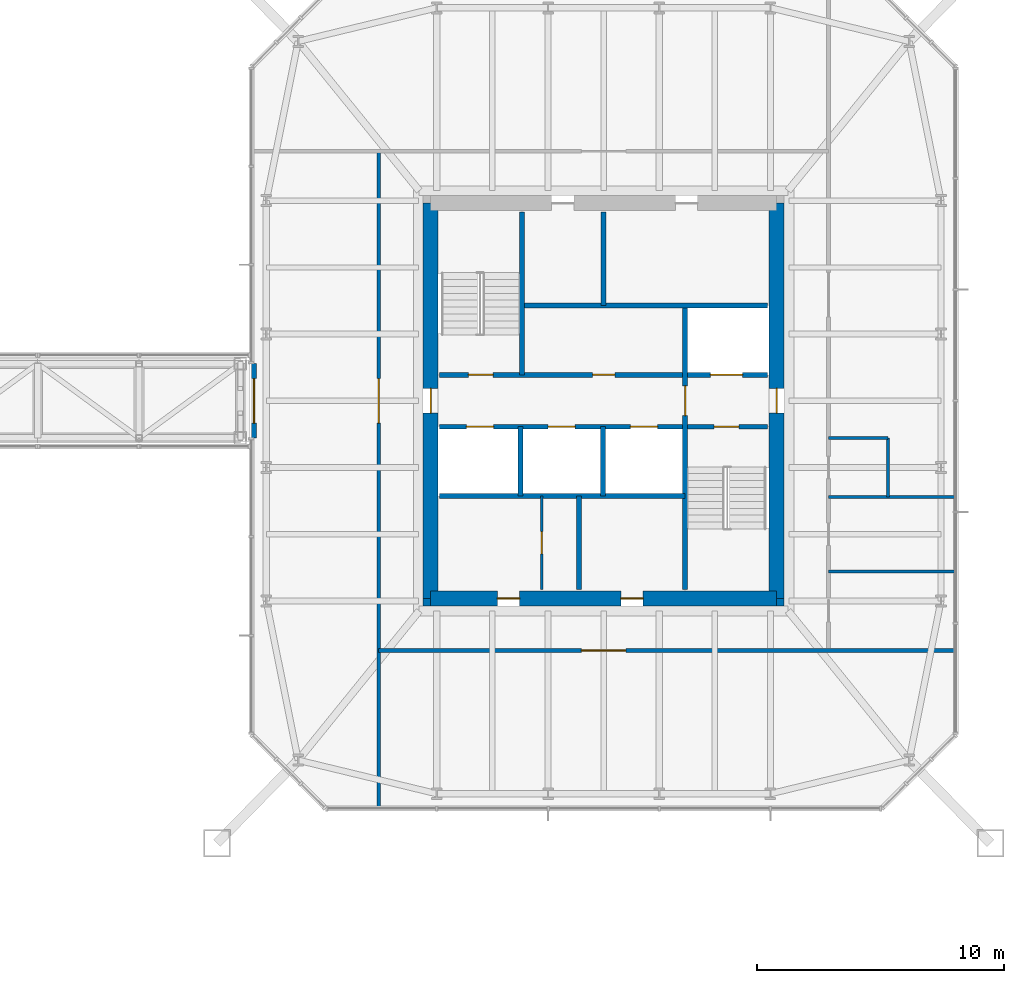
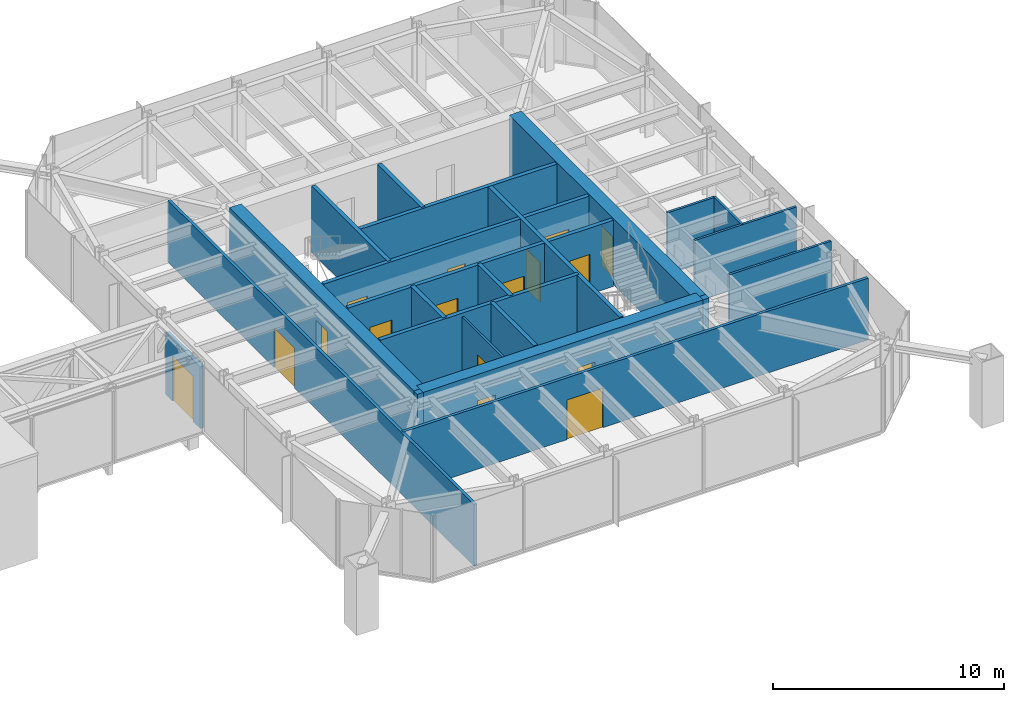
# One storey, part 21 of 28: 23 walls, 16 doors, 16 openings.
"""IFC4 building model written with IfcOpenShell, lengths in metres."""

from ifc_helpers import new_model, si_unit, direction, frame, frame_2d, origin, place, context, subcontext, project, spatial, rectangle, extrude, material, layer, layer_set, type_object, element, fill, save


model = new_model("IFC4")

# Units and contexts
model_context = context("Model", 3, precision=1e-05, world=origin(), true_north=direction((0.0, 1.0)))
body_context = subcontext(model_context, "Body", "Model", "MODEL_VIEW")
ifc_project = project(units=[si_unit("LENGTHUNIT", "METRE"), si_unit("AREAUNIT", "SQUARE_METRE"), si_unit("VOLUMEUNIT", "CUBIC_METRE"), si_unit("PLANEANGLEUNIT", "RADIAN"), si_unit("MASSUNIT", "GRAM", prefix="KILO")], contexts=[model_context])

# Site, building, storey
site_placement = place(None, origin())
site = spatial("IfcSite", under=ifc_project, at=site_placement, CompositionType="ELEMENT")
building_placement = place(site_placement, origin())
building = spatial("IfcBuilding", under=site, at=building_placement, Name="Iwan Alto Co-Living Towers", CompositionType="ELEMENT")
storey_placement = place(building_placement, frame((0.0, 0.0, 98.0)))
storey = spatial("IfcBuildingStorey", under=building, at=storey_placement, Name="L26", CompositionType="ELEMENT", Elevation=98.0)

# Wall, opening, door
ifc_material_1 = material(Name="Aluminium 6063-T6 bronze anodised", Category="aluminium")
ifc_layer_1 = layer(ifc_material_1, 0.030029296875, Name="Cladding", Category="Finish")
ifc_material_2 = material(Name="Steel ASTM A1003 ST33H cold-formed studs", Category="steel")
ifc_layer_2 = layer(ifc_material_2, 0.169921875, Name="Studs", Category="Framing")
ifc_layer_set_1 = layer_set([ifc_layer_1, ifc_layer_2], Name="BRIDGE END WALL 200")
wall_type_1 = type_object("IfcWallType", Name="BRIDGE END WALL 200", PredefinedType="SOLIDWALL", material=ifc_layer_set_1)
wall_1_placement = place(storey_placement, frame((48.85009765625, 1.5, 0.0), z_axis=(0.0, 0.0, 1.0), x_axis=(0.0, -1.0, 0.0)))
wall_1 = element("IfcWall", 1, at=wall_1_placement, inside=storey, type_object=wall_type_1, Name="T2 bridge end wall L26", PredefinedType="SOLIDWALL", context=body_context, shape_type="SweptSolid", body=[
    extrude(rectangle(XDim=3.0, YDim=0.199951171875, at=frame_2d((1.5, 0.0))), origin(), (0.0, 0.0, 1.0), 3.27001953125),
])
opening_1_placement = place(wall_1_placement, frame((0.60009765625, 0.0, 0.0)))
opening_1 = element("IfcOpeningElement", 2, at=opening_1_placement, cuts=wall_1, Name="Opening DE5", PredefinedType="OPENING", context=body_context, shape_type="SweptSolid", body=[
    extrude(rectangle(XDim=1.800048828125, YDim=2.39990234375, at=frame_2d((0.89990234375, 1.199951171875))), frame((0.0, 0.10986328125, 0.0), z_axis=(0.0, -1.0, 0.0), x_axis=(1.0, 0.0, 0.0)), (0.0, 0.0, 1.0), 0.219970703125),
])
ifc_material_3 = material(Name="Steel frame with glazed fire-rated leaves", Category="steel")
door_type_1 = type_object("IfcDoorType", Name="BRIDGE DOOR FD120S 1800X2400", OperationType="DOUBLE_DOOR_SINGLE_SWING", PredefinedType="DOOR", material=ifc_material_3)
door_1_placement = place(opening_1_placement, frame((1.800048828125, 0.0, 0.0), z_axis=(0.0, 0.0, 1.0), x_axis=(-1.0, 0.0, 0.0)))
door_1 = element("IfcDoor", 3, at=door_1_placement, inside=storey, type_object=door_type_1, Name="Bridge BR1 door L26", OperationType="DOUBLE_DOOR_SINGLE_SWING", OverallHeight=2.39990234375, OverallWidth=1.800048828125, PredefinedType="DOOR", context=body_context, shape_type="SweptSolid", body=[
    extrude(rectangle(XDim=1.800048828125, YDim=2.39990234375, at=frame_2d((0.89990234375, 1.199951171875))), frame((0.0, 0.02490234375, 0.0), z_axis=(0.0, -1.0, 0.0), x_axis=(1.0, 0.0, 0.0)), (0.0, 0.0, 1.0), 0.050048828125),
])
fill(opening_1, door_1)

ifc_material_4 = material(Name="Gypsum board")
ifc_layer_3 = layer(ifc_material_4, 0.02490234375, Name="Board", Category="Finish")
ifc_layer_4 = layer(ifc_material_2, 0.10009765625, Name="Studs", Category="Framing")
ifc_layer_5 = layer(ifc_material_4, 0.02490234375, Name="Board", Category="Finish")
ifc_layer_set_2 = layer_set([ifc_layer_3, ifc_layer_4, ifc_layer_5], Name="CORRIDOR WALL 150")
wall_type_2 = type_object("IfcWallType", Name="CORRIDOR WALL 150", PredefinedType="PARTITIONING", material=ifc_layer_set_2)
wall_2_placement = place(storey_placement, frame((53.89990234375, -10.10009765625, 0.0), z_axis=(0.0, 0.0, 1.0), x_axis=(1.0, 0.0, 0.0)))
wall_2 = element("IfcWall", 4, at=wall_2_placement, inside=storey, type_object=wall_type_2, Name="Partition L26", PredefinedType="PARTITIONING", context=body_context, shape_type="SweptSolid", body=[
    extrude(rectangle(XDim=23.2900390625, YDim=0.14990234375, at=frame_2d((11.64501953125, 0.0))), origin(), (0.0, 0.0, 1.0), 3.27001953125),
])
opening_2_placement = place(wall_2_placement, frame((8.199951171875, 0.0, 0.0)))
opening_2 = element("IfcOpeningElement", 5, at=opening_2_placement, cuts=wall_2, Name="Opening D9", PredefinedType="OPENING", context=body_context, shape_type="SweptSolid", body=[
    extrude(rectangle(XDim=1.800048828125, YDim=2.10009765625, at=frame_2d((0.89990234375, 1.050048828125))), frame((0.0, 0.0849609375, 0.0), z_axis=(0.0, -1.0, 0.0), x_axis=(1.0, 0.0, 0.0)), (0.0, 0.0, 1.0), 0.169921875),
])
ifc_material_5 = material(Name="Steel frame with timber leaf", Category="steel")
door_type_2 = type_object("IfcDoorType", Name="LOUNGE DOOR FD30S 1800X2100", OperationType="DOUBLE_DOOR_SINGLE_SWING", PredefinedType="DOOR", material=ifc_material_5)
door_2_placement = place(opening_2_placement, frame((1.800048828125, 0.0, 0.0), z_axis=(0.0, 0.0, 1.0), x_axis=(-1.0, 0.0, 0.0)))
door_2 = element("IfcDoor", 6, at=door_2_placement, inside=storey, type_object=door_type_2, Name="Fitness room door L26", OperationType="DOUBLE_DOOR_SINGLE_SWING", OverallHeight=2.10009765625, OverallWidth=1.800048828125, PredefinedType="DOOR", context=body_context, shape_type="SweptSolid", body=[
    extrude(rectangle(XDim=1.800048828125, YDim=2.10009765625, at=frame_2d((0.89990234375, 1.050048828125))), frame((0.0, 0.02490234375, 0.0), z_axis=(0.0, -1.0, 0.0), x_axis=(1.0, 0.0, 0.0)), (0.0, 0.0, 1.0), 0.050048828125),
])
fill(opening_2, door_2)

wall_3_placement = place(storey_placement, frame((53.89990234375, -16.43994140625, 0.0), z_axis=(0.0, 0.0, 1.0), x_axis=(0.0, 1.0, 0.0)))
wall_3 = element("IfcWall", 7, at=wall_3_placement, inside=storey, type_object=wall_type_2, Name="Partition L26", PredefinedType="PARTITIONING", context=body_context, shape_type="SweptSolid", body=[
    extrude(rectangle(XDim=26.5400390625, YDim=0.14990234375, at=frame_2d((13.27001953125, 0.0))), origin(), (0.0, 0.0, 1.0), 3.27001953125),
])
opening_3_placement = place(wall_3_placement, frame((15.5400390625, 0.0, 0.0)))
opening_3 = element("IfcOpeningElement", 8, at=opening_3_placement, cuts=wall_3, Name="Opening D9", PredefinedType="OPENING", context=body_context, shape_type="SweptSolid", body=[
    extrude(rectangle(XDim=1.800048828125, YDim=2.10009765625, at=frame_2d((0.89990234375, 1.050048828125))), frame((0.0, 0.0849609375, 0.0), z_axis=(0.0, -1.0, 0.0), x_axis=(1.0, 0.0, 0.0)), (0.0, 0.0, 1.0), 0.169921875),
])
door_3_placement = place(opening_3_placement, frame((1.800048828125, 0.0, 0.0), z_axis=(0.0, 0.0, 1.0), x_axis=(-1.0, 0.0, 0.0)))
door_3 = element("IfcDoor", 9, at=door_3_placement, inside=storey, type_object=door_type_2, Name="Sky lobby and bridge landing door L26", OperationType="DOUBLE_DOOR_SINGLE_SWING", OverallHeight=2.10009765625, OverallWidth=1.800048828125, PredefinedType="DOOR", context=body_context, shape_type="SweptSolid", body=[
    extrude(rectangle(XDim=1.800048828125, YDim=2.10009765625, at=frame_2d((0.89990234375, 1.050048828125))), frame((0.0, 0.02490234375, 0.0), z_axis=(0.0, -1.0, 0.0), x_axis=(1.0, 0.0, 0.0)), (0.0, 0.0, 1.0), 0.050048828125),
])
fill(opening_3, door_3)

ifc_layer_6 = layer(ifc_material_4, 0.012451171875, Name="Board", Category="Finish")
ifc_layer_7 = layer(ifc_material_2, 0.074951171875, Name="Studs", Category="Framing")
ifc_layer_8 = layer(ifc_material_4, 0.012451171875, Name="Board", Category="Finish")
ifc_layer_set_3 = layer_set([ifc_layer_6, ifc_layer_7, ifc_layer_8], Name="PARTITION 100")
wall_type_3 = type_object("IfcWallType", Name="PARTITION 100", PredefinedType="PARTITIONING", material=ifc_layer_set_3)
wall_4_placement = place(storey_placement, frame((60.5, -7.639892578125, 0.0), z_axis=(0.0, 0.0, 1.0), x_axis=(0.0, 1.0, 0.0)))
wall_4 = element("IfcWall", 10, at=wall_4_placement, inside=storey, type_object=wall_type_3, Name="Partition L26", PredefinedType="PARTITIONING", context=body_context, shape_type="SweptSolid", body=[
    extrude(rectangle(XDim=3.789794921875, YDim=0.10009765625, at=frame_2d((1.89501953125, 0.0))), origin(), (0.0, 0.0, 1.0), 3.300048828125),
])
opening_4_placement = place(wall_4_placement, frame((1.445068359375, 0.0, 0.0)))
opening_4 = element("IfcOpeningElement", 11, at=opening_4_placement, cuts=wall_4, Name="Opening D16", PredefinedType="OPENING", context=body_context, shape_type="SweptSolid", body=[
    extrude(rectangle(XDim=0.89990234375, YDim=2.10009765625, at=frame_2d((0.449951171875, 1.050048828125))), frame((0.0, 0.06005859375, 0.0), z_axis=(0.0, -1.0, 0.0), x_axis=(1.0, 0.0, 0.0)), (0.0, 0.0, 1.0), 0.1201171875),
])
ifc_material_6 = material(Name="Timber leaf in steel frame", Category="steel")
door_type_3 = type_object("IfcDoorType", Name="CUPBOARD SLIDING DOOR 900X2100", OperationType="SLIDING_TO_LEFT", PredefinedType="DOOR", material=ifc_material_6)
door_4_placement = place(opening_4_placement, origin())
door_4 = element("IfcDoor", 12, at=door_4_placement, inside=storey, type_object=door_type_3, Name="Recycling store door L26", OperationType="SLIDING_TO_LEFT", OverallHeight=2.10009765625, OverallWidth=0.89990234375, PredefinedType="DOOR", context=body_context, shape_type="SweptSolid", body=[
    extrude(rectangle(XDim=0.89990234375, YDim=2.10009765625, at=frame_2d((0.449951171875, 1.050048828125))), frame((0.0, 0.02490234375, 0.0), z_axis=(0.0, -1.0, 0.0), x_axis=(1.0, 0.0, 0.0)), (0.0, 0.0, 1.0), 0.050048828125),
])
fill(opening_4, door_4)

# Wall
ifc_material_7 = material(Name="Concrete f'c 70 MPa", Category="concrete")
ifc_layer_9 = layer(ifc_material_7, 0.199951171875)
ifc_layer_set_4 = layer_set([ifc_layer_9], Name="SHAFT WALL 200")
wall_type_4 = type_object("IfcWallType", Name="SHAFT WALL 200", PredefinedType="SOLIDWALL", material=ifc_layer_set_4)
wall_5_placement = place(storey_placement, frame((56.360107421875, -3.85009765625, 0.0), z_axis=(0.0, 0.0, 1.0), x_axis=(1.0, 0.0, 0.0)))
element("IfcWall", 13, at=wall_5_placement, inside=storey, type_object=wall_type_4, Name="Shaft wall L26", PredefinedType="SOLIDWALL", context=body_context, shape_type="SweptSolid", body=[
    extrude(rectangle(XDim=9.93994140625, YDim=0.199951171875, at=frame_2d((4.969970703125, 0.0))), origin(), (0.0, 0.0, 1.0), 3.5),
])

# Wall, openings, doors
wall_6_placement = place(storey_placement, frame((56.360107421875, -1.050048828125, 0.0), z_axis=(0.0, 0.0, 1.0), x_axis=(1.0, 0.0, 0.0)))
wall_6 = element("IfcWall", 14, at=wall_6_placement, inside=storey, type_object=wall_type_4, Name="Shaft wall L26", PredefinedType="SOLIDWALL", context=body_context, shape_type="SweptSolid", body=[
    extrude(rectangle(XDim=13.27978515625, YDim=0.199951171875, at=frame_2d((6.639892578125, 0.0))), origin(), (0.0, 0.0, 1.0), 3.5),
])
opening_5_placement = place(wall_6_placement, frame((11.110107421875, 0.0, 0.0)))
opening_5 = element("IfcOpeningElement", 15, at=opening_5_placement, cuts=wall_6, Name="Opening D5", PredefinedType="OPENING", context=body_context, shape_type="SweptSolid", body=[
    extrude(rectangle(XDim=1.0, YDim=2.10009765625, at=frame_2d((0.5, 1.050048828125))), frame((0.0, 0.10986328125, 0.0), z_axis=(0.0, -1.0, 0.0), x_axis=(1.0, 0.0, 0.0)), (0.0, 0.0, 1.0), 0.219970703125),
])
opening_6_placement = place(wall_6_placement, frame((1.0869140625, 0.0, 0.0)))
opening_6 = element("IfcOpeningElement", 16, at=opening_6_placement, cuts=wall_6, Name="Opening LD", PredefinedType="OPENING", context=body_context, shape_type="SweptSolid", body=[
    extrude(rectangle(XDim=1.10009765625, YDim=2.10009765625, at=frame_2d((0.550048828125, 1.050048828125))), frame((0.0, 0.10986328125, 0.0), z_axis=(0.0, -1.0, 0.0), x_axis=(1.0, 0.0, 0.0)), (0.0, 0.0, 1.0), 0.219970703125),
])
opening_7_placement = place(wall_6_placement, frame((4.389892578125, 0.0, 0.0)))
opening_7 = element("IfcOpeningElement", 17, at=opening_7_placement, cuts=wall_6, Name="Opening LD", PredefinedType="OPENING", context=body_context, shape_type="SweptSolid", body=[
    extrude(rectangle(XDim=1.10009765625, YDim=2.10009765625, at=frame_2d((0.550048828125, 1.050048828125))), frame((0.0, 0.10986328125, 0.0), z_axis=(0.0, -1.0, 0.0), x_axis=(1.0, 0.0, 0.0)), (0.0, 0.0, 1.0), 0.219970703125),
])
opening_8_placement = place(wall_6_placement, frame((7.72412109375, 0.0, 0.0)))
opening_8 = element("IfcOpeningElement", 18, at=opening_8_placement, cuts=wall_6, Name="Opening LD", PredefinedType="OPENING", context=body_context, shape_type="SweptSolid", body=[
    extrude(rectangle(XDim=1.10009765625, YDim=2.10009765625, at=frame_2d((0.550048828125, 1.050048828125))), frame((0.0, 0.10986328125, 0.0), z_axis=(0.0, -1.0, 0.0), x_axis=(1.0, 0.0, 0.0)), (0.0, 0.0, 1.0), 0.219970703125),
])
ifc_material_8 = material(Name="Steel frame with timber leaf", Category="steel")
door_type_4 = type_object("IfcDoorType", Name="LIFT LANDING DOOR 1100X2100", OperationType="DOUBLE_DOOR_SLIDING", PredefinedType="DOOR", material=ifc_material_8)
door_5_placement = place(opening_6_placement, origin())
door_5 = element("IfcDoor", 19, at=door_5_placement, inside=storey, type_object=door_type_4, Name="Lift P5-1 landing door L26", OperationType="DOUBLE_DOOR_SLIDING", OverallHeight=2.10009765625, OverallWidth=1.10009765625, PredefinedType="DOOR", context=body_context, shape_type="SweptSolid", body=[
    extrude(rectangle(XDim=1.10009765625, YDim=2.10009765625, at=frame_2d((0.550048828125, 1.050048828125))), frame((0.0, 0.02490234375, 0.0), z_axis=(0.0, -1.0, 0.0), x_axis=(1.0, 0.0, 0.0)), (0.0, 0.0, 1.0), 0.050048828125),
])
fill(opening_6, door_5)
door_6_placement = place(opening_7_placement, origin())
door_6 = element("IfcDoor", 20, at=door_6_placement, inside=storey, type_object=door_type_4, Name="Lift P5-2 landing door L26", OperationType="DOUBLE_DOOR_SLIDING", OverallHeight=2.10009765625, OverallWidth=1.10009765625, PredefinedType="DOOR", context=body_context, shape_type="SweptSolid", body=[
    extrude(rectangle(XDim=1.10009765625, YDim=2.10009765625, at=frame_2d((0.550048828125, 1.050048828125))), frame((0.0, 0.02490234375, 0.0), z_axis=(0.0, -1.0, 0.0), x_axis=(1.0, 0.0, 0.0)), (0.0, 0.0, 1.0), 0.050048828125),
])
fill(opening_7, door_6)
door_7_placement = place(opening_8_placement, origin())
door_7 = element("IfcDoor", 21, at=door_7_placement, inside=storey, type_object=door_type_4, Name="Lift P6-3 landing door L26", OperationType="DOUBLE_DOOR_SLIDING", OverallHeight=2.10009765625, OverallWidth=1.10009765625, PredefinedType="DOOR", context=body_context, shape_type="SweptSolid", body=[
    extrude(rectangle(XDim=1.10009765625, YDim=2.10009765625, at=frame_2d((0.550048828125, 1.050048828125))), frame((0.0, 0.02490234375, 0.0), z_axis=(0.0, -1.0, 0.0), x_axis=(1.0, 0.0, 0.0)), (0.0, 0.0, 1.0), 0.050048828125),
])
fill(opening_8, door_7)
ifc_material_9 = material(Name="Steel frame with timber leaf", Category="steel")
door_type_5 = type_object("IfcDoorType", Name="STAIR DOOR FD120S 1000X2100", OperationType="SINGLE_SWING_LEFT", PredefinedType="DOOR", material=ifc_material_9)
door_8_placement = place(opening_5_placement, frame((1.0, 0.0, 0.0), z_axis=(0.0, 0.0, 1.0), x_axis=(-1.0, 0.0, 0.0)))
door_8 = element("IfcDoor", 22, at=door_8_placement, inside=storey, type_object=door_type_5, Name="Stair S2 door L26", OperationType="SINGLE_SWING_RIGHT", OverallHeight=2.10009765625, OverallWidth=1.0, PredefinedType="DOOR", context=body_context, shape_type="SweptSolid", body=[
    extrude(rectangle(XDim=1.0, YDim=2.10009765625, at=frame_2d((0.5, 1.050048828125))), frame((0.0, 0.02490234375, 0.0), z_axis=(0.0, -1.0, 0.0), x_axis=(1.0, 0.0, 0.0)), (0.0, 0.0, 1.0), 0.050048828125),
])
fill(opening_5, door_8)

wall_7_placement = place(storey_placement, frame((56.360107421875, 1.050048828125, 0.0), z_axis=(0.0, 0.0, 1.0), x_axis=(1.0, 0.0, 0.0)))
wall_7 = element("IfcWall", 23, at=wall_7_placement, inside=storey, type_object=wall_type_4, Name="Shaft wall L26", PredefinedType="SOLIDWALL", context=body_context, shape_type="SweptSolid", body=[
    extrude(rectangle(XDim=13.27978515625, YDim=0.199951171875, at=frame_2d((6.639892578125, 0.0))), origin(), (0.0, 0.0, 1.0), 3.5),
])
opening_9_placement = place(wall_7_placement, frame((1.169921875, 0.0, 0.0)))
opening_9 = element("IfcOpeningElement", 24, at=opening_9_placement, cuts=wall_7, Name="Opening D5", PredefinedType="OPENING", context=body_context, shape_type="SweptSolid", body=[
    extrude(rectangle(XDim=1.0, YDim=2.10009765625, at=frame_2d((0.5, 1.050048828125))), frame((0.0, 0.10986328125, 0.0), z_axis=(0.0, -1.0, 0.0), x_axis=(1.0, 0.0, 0.0)), (0.0, 0.0, 1.0), 0.219970703125),
])
opening_10_placement = place(wall_7_placement, frame((6.18994140625, 0.0, 0.0)))
opening_10 = element("IfcOpeningElement", 25, at=opening_10_placement, cuts=wall_7, Name="Opening D8", PredefinedType="OPENING", context=body_context, shape_type="SweptSolid", body=[
    extrude(rectangle(XDim=0.89990234375, YDim=2.10009765625, at=frame_2d((0.449951171875, 1.050048828125))), frame((0.0, 0.10986328125, 0.0), z_axis=(0.0, -1.0, 0.0), x_axis=(1.0, 0.0, 0.0)), (0.0, 0.0, 1.0), 0.219970703125),
])
opening_11_placement = place(wall_7_placement, frame((10.9599609375, 0.0, 0.0)))
opening_11 = element("IfcOpeningElement", 26, at=opening_11_placement, cuts=wall_7, Name="Opening LD2", PredefinedType="OPENING", context=body_context, shape_type="SweptSolid", body=[
    extrude(rectangle(XDim=1.300048828125, YDim=2.10009765625, at=frame_2d((0.64990234375, 1.050048828125))), frame((0.0, 0.10986328125, 0.0), z_axis=(0.0, -1.0, 0.0), x_axis=(1.0, 0.0, 0.0)), (0.0, 0.0, 1.0), 0.219970703125),
])
ifc_material_10 = material(Name="Steel frame with timber leaf", Category="steel")
door_type_6 = type_object("IfcDoorType", Name="LIFT LANDING DOOR 1300X2100", OperationType="SLIDING_TO_LEFT", PredefinedType="DOOR", material=ifc_material_10)
door_9_placement = place(opening_11_placement, origin())
door_9 = element("IfcDoor", 27, at=door_9_placement, inside=storey, type_object=door_type_6, Name="Lift FL2 landing door L26", OperationType="SLIDING_TO_LEFT", OverallHeight=2.10009765625, OverallWidth=1.300048828125, PredefinedType="DOOR", context=body_context, shape_type="SweptSolid", body=[
    extrude(rectangle(XDim=1.300048828125, YDim=2.10009765625, at=frame_2d((0.64990234375, 1.050048828125))), frame((0.0, 0.02490234375, 0.0), z_axis=(0.0, -1.0, 0.0), x_axis=(1.0, 0.0, 0.0)), (0.0, 0.0, 1.0), 0.050048828125),
])
fill(opening_11, door_9)
ifc_material_11 = material(Name="Steel frame with timber leaf", Category="steel")
door_type_7 = type_object("IfcDoorType", Name="RISER DOOR FD120 900X2100", OperationType="SINGLE_SWING_LEFT", PredefinedType="DOOR", material=ifc_material_11)
door_10_placement = place(opening_10_placement, origin())
door_10 = element("IfcDoor", 28, at=door_10_placement, inside=storey, type_object=door_type_7, Name="Riser room door L26", OperationType="SINGLE_SWING_LEFT", OverallHeight=2.10009765625, OverallWidth=0.89990234375, PredefinedType="DOOR", context=body_context, shape_type="SweptSolid", body=[
    extrude(rectangle(XDim=0.89990234375, YDim=2.10009765625, at=frame_2d((0.449951171875, 1.050048828125))), frame((0.0, 0.02490234375, 0.0), z_axis=(0.0, -1.0, 0.0), x_axis=(1.0, 0.0, 0.0)), (0.0, 0.0, 1.0), 0.050048828125),
])
fill(opening_10, door_10)
door_11_placement = place(opening_9_placement, origin())
door_11 = element("IfcDoor", 29, at=door_11_placement, inside=storey, type_object=door_type_5, Name="Stair S1 door L26", OperationType="SINGLE_SWING_RIGHT", OverallHeight=2.10009765625, OverallWidth=1.0, PredefinedType="DOOR", context=body_context, shape_type="SweptSolid", body=[
    extrude(rectangle(XDim=1.0, YDim=2.10009765625, at=frame_2d((0.5, 1.050048828125))), frame((0.0, 0.02490234375, 0.0), z_axis=(0.0, -1.0, 0.0), x_axis=(1.0, 0.0, 0.0)), (0.0, 0.0, 1.0), 0.050048828125),
])
fill(opening_9, door_11)

# Wall
wall_8_placement = place(storey_placement, frame((59.699951171875, 3.85009765625, 0.0), z_axis=(0.0, 0.0, 1.0), x_axis=(1.0, 0.0, 0.0)))
element("IfcWall", 30, at=wall_8_placement, inside=storey, type_object=wall_type_4, Name="Shaft wall L26", PredefinedType="SOLIDWALL", context=body_context, shape_type="SweptSolid", body=[
    extrude(rectangle(XDim=9.93994140625, YDim=0.199951171875, at=frame_2d((4.969970703125, 0.0))), origin(), (0.0, 0.0, 1.0), 3.5),
])

# Wall, opening, door
wall_9_placement = place(storey_placement, frame((66.300048828125, -7.639892578125, 0.0), z_axis=(0.0, 0.0, 1.0), x_axis=(0.0, 1.0, 0.0)))
wall_9 = element("IfcWall", 31, at=wall_9_placement, inside=storey, type_object=wall_type_4, Name="Shaft wall L26", PredefinedType="SOLIDWALL", context=body_context, shape_type="SweptSolid", body=[
    extrude(rectangle(XDim=11.489990234375, YDim=0.199951171875, at=frame_2d((5.7451171875, 0.0))), origin(), (0.0, 0.0, 1.0), 3.5),
])
opening_12_placement = place(wall_9_placement, frame((7.0400390625, 0.0, 0.0)))
opening_12 = element("IfcOpeningElement", 32, at=opening_12_placement, cuts=wall_9, Name="Opening D6", PredefinedType="OPENING", context=body_context, shape_type="SweptSolid", body=[
    extrude(rectangle(XDim=1.199951171875, YDim=2.10009765625, at=frame_2d((0.60009765625, 1.050048828125))), frame((0.0, 0.10986328125, 0.0), z_axis=(0.0, -1.0, 0.0), x_axis=(1.0, 0.0, 0.0)), (0.0, 0.0, 1.0), 0.219970703125),
])
ifc_material_12 = material(Name="Steel frame with timber leaf", Category="steel")
door_type_8 = type_object("IfcDoorType", Name="LOBBY DOOR FD120S 1200X2100", OperationType="SINGLE_SWING_LEFT", PredefinedType="DOOR", material=ifc_material_12)
door_12_placement = place(opening_12_placement, frame((1.199951171875, 0.0, 0.0), z_axis=(0.0, 0.0, 1.0), x_axis=(-1.0, 0.0, 0.0)))
door_12 = element("IfcDoor", 33, at=door_12_placement, inside=storey, type_object=door_type_8, Name="Firefighting lobby door L26", OperationType="SINGLE_SWING_RIGHT", OverallHeight=2.10009765625, OverallWidth=1.199951171875, PredefinedType="DOOR", context=body_context, shape_type="SweptSolid", body=[
    extrude(rectangle(XDim=1.199951171875, YDim=2.10009765625, at=frame_2d((0.60009765625, 1.050048828125))), frame((0.0, 0.02490234375, 0.0), z_axis=(0.0, -1.0, 0.0), x_axis=(1.0, 0.0, 0.0)), (0.0, 0.0, 1.0), 0.050048828125),
])
fill(opening_12, door_12)

# Walls
wall_10_placement = place(storey_placement, frame((63.0, 3.85009765625, 0.0), z_axis=(0.0, 0.0, 1.0), x_axis=(0.0, 1.0, 0.0)))
element("IfcWall", 34, at=wall_10_placement, inside=storey, type_object=wall_type_4, Name="Shaft wall L26", PredefinedType="SOLIDWALL", context=body_context, shape_type="SweptSolid", body=[
    extrude(rectangle(XDim=3.789794921875, YDim=0.199951171875, at=frame_2d((1.89501953125, 0.0))), origin(), (0.0, 0.0, 1.0), 3.5),
])
wall_11_placement = place(storey_placement, frame((62.967041015625, -3.85009765625, 0.0), z_axis=(0.0, 0.0, 1.0), x_axis=(0.0, 1.0, 0.0)))
element("IfcWall", 35, at=wall_11_placement, inside=storey, type_object=wall_type_4, Name="Shaft wall L26", PredefinedType="SOLIDWALL", context=body_context, shape_type="SweptSolid", body=[
    extrude(rectangle(XDim=2.800048828125, YDim=0.199951171875, at=frame_2d((1.39990234375, 0.0))), origin(), (0.0, 0.0, 1.0), 3.5),
])
wall_12_placement = place(storey_placement, frame((62.0, -7.639892578125, 0.0), z_axis=(0.0, 0.0, 1.0), x_axis=(0.0, 1.0, 0.0)))
element("IfcWall", 36, at=wall_12_placement, inside=storey, type_object=wall_type_4, Name="Shaft wall L26", PredefinedType="SOLIDWALL", context=body_context, shape_type="SweptSolid", body=[
    extrude(rectangle(XDim=3.789794921875, YDim=0.199951171875, at=frame_2d((1.89501953125, 0.0))), origin(), (0.0, 0.0, 1.0), 3.5),
])
wall_13_placement = place(storey_placement, frame((59.699951171875, 1.050048828125, 0.0), z_axis=(0.0, 0.0, 1.0), x_axis=(0.0, 1.0, 0.0)))
element("IfcWall", 37, at=wall_13_placement, inside=storey, type_object=wall_type_4, Name="Shaft wall L26", PredefinedType="SOLIDWALL", context=body_context, shape_type="SweptSolid", body=[
    extrude(rectangle(XDim=6.58984375, YDim=0.199951171875, at=frame_2d((3.294921875, 0.0))), origin(), (0.0, 0.0, 1.0), 3.5),
])
wall_14_placement = place(storey_placement, frame((59.633056640625, -3.85009765625, 0.0), z_axis=(0.0, 0.0, 1.0), x_axis=(0.0, 1.0, 0.0)))
element("IfcWall", 38, at=wall_14_placement, inside=storey, type_object=wall_type_4, Name="Shaft wall L26", PredefinedType="SOLIDWALL", context=body_context, shape_type="SweptSolid", body=[
    extrude(rectangle(XDim=2.800048828125, YDim=0.199951171875, at=frame_2d((1.39990234375, 0.0))), origin(), (0.0, 0.0, 1.0), 3.5),
])
ifc_material_13 = material(Name="Concrete f'c 70 MPa", Category="concrete")
ifc_layer_10 = layer(ifc_material_13, 0.300048828125)
ifc_layer_set_5 = layer_set([ifc_layer_10], Name="T2 CORE CORNER FILL 300")
wall_type_5 = type_object("IfcWallType", Name="T2 CORE CORNER FILL 300", PredefinedType="SOLIDWALL", material=ifc_layer_set_5)
for number, where, z_axis, x_axis, name in (
    (39, (55.699951171875, -8.14990234375, 0.0), (0.0, 0.0, 1.0), (1.0, 0.0, 0.0), "T2 core corner SW L26"),
    (40, (70.0, -8.14990234375, 0.0), (0.0, 0.0, 1.0), (1.0, 0.0, 0.0), "T2 core corner SE L26"),
):
    element("IfcWall", number, at=place(storey_placement, frame(where, z_axis=z_axis, x_axis=x_axis)), inside=storey, type_object=wall_type_5, Name=name, PredefinedType="SOLIDWALL", context=body_context, shape_type="SweptSolid", body=[
        extrude(rectangle(XDim=0.300048828125, YDim=0.300048828125, at=frame_2d((0.14990234375, 0.0))), origin(), (0.0, 0.0, 1.0), 3.5),
    ])

# Wall, openings, doors
ifc_material_14 = material(Name="Concrete f'c 70 MPa", Category="concrete")
ifc_layer_11 = layer(ifc_material_14, 0.60009765625)
ifc_layer_set_6 = layer_set([ifc_layer_11], Name="T2 CORE WALL 600")
wall_type_6 = type_object("IfcWallType", Name="T2 CORE WALL 600", PredefinedType="SHEAR", material=ifc_layer_set_6)
wall_15_placement = place(storey_placement, frame((56.0, -8.0, 0.0), z_axis=(0.0, 0.0, 1.0), x_axis=(1.0, 0.0, 0.0)))
wall_15 = element("IfcWall", 41, at=wall_15_placement, inside=storey, type_object=wall_type_6, Name="T2 core wall S L26", PredefinedType="SHEAR", context=body_context, shape_type="SweptSolid", body=[
    extrude(rectangle(XDim=14.0, YDim=0.60009765625, at=frame_2d((7.0, 0.0))), origin(), (0.0, 0.0, 1.0), 3.5),
])
opening_13_placement = place(wall_15_placement, frame((2.699951171875, 0.0, 0.0)))
opening_13 = element("IfcOpeningElement", 42, at=opening_13_placement, cuts=wall_15, Name="Opening D8", PredefinedType="OPENING", context=body_context, shape_type="SweptSolid", body=[
    extrude(rectangle(XDim=0.89990234375, YDim=2.10009765625, at=frame_2d((0.449951171875, 1.050048828125))), frame((0.0, 0.31005859375, 0.0), z_axis=(0.0, -1.0, 0.0), x_axis=(1.0, 0.0, 0.0)), (0.0, 0.0, 1.0), 0.6201171875),
])
opening_14_placement = place(wall_15_placement, frame((7.699951171875, 0.0, 0.0)))
opening_14 = element("IfcOpeningElement", 43, at=opening_14_placement, cuts=wall_15, Name="Opening D8", PredefinedType="OPENING", context=body_context, shape_type="SweptSolid", body=[
    extrude(rectangle(XDim=0.89990234375, YDim=2.10009765625, at=frame_2d((0.449951171875, 1.050048828125))), frame((0.0, 0.31005859375, 0.0), z_axis=(0.0, -1.0, 0.0), x_axis=(1.0, 0.0, 0.0)), (0.0, 0.0, 1.0), 0.6201171875),
])
door_13_placement = place(opening_13_placement, origin())
door_13 = element("IfcDoor", 44, at=door_13_placement, inside=storey, type_object=door_type_7, Name="Refuse room core door L26", OperationType="SINGLE_SWING_RIGHT", OverallHeight=2.10009765625, OverallWidth=0.89990234375, PredefinedType="DOOR", context=body_context, shape_type="SweptSolid", body=[
    extrude(rectangle(XDim=0.89990234375, YDim=2.10009765625, at=frame_2d((0.449951171875, 1.050048828125))), frame((0.0, 0.02490234375, 0.0), z_axis=(0.0, -1.0, 0.0), x_axis=(1.0, 0.0, 0.0)), (0.0, 0.0, 1.0), 0.050048828125),
])
fill(opening_13, door_13)
door_14_placement = place(opening_14_placement, origin())
door_14 = element("IfcDoor", 45, at=door_14_placement, inside=storey, type_object=door_type_7, Name="Telecom riser core door L26", OperationType="SINGLE_SWING_LEFT", OverallHeight=2.10009765625, OverallWidth=0.89990234375, PredefinedType="DOOR", context=body_context, shape_type="SweptSolid", body=[
    extrude(rectangle(XDim=0.89990234375, YDim=2.10009765625, at=frame_2d((0.449951171875, 1.050048828125))), frame((0.0, 0.02490234375, 0.0), z_axis=(0.0, -1.0, 0.0), x_axis=(1.0, 0.0, 0.0)), (0.0, 0.0, 1.0), 0.050048828125),
])
fill(opening_14, door_14)

# Wall, opening, door
wall_16_placement = place(storey_placement, frame((70.0, -8.0, 0.0), z_axis=(0.0, 0.0, 1.0), x_axis=(0.0, 1.0, 0.0)))
wall_16 = element("IfcWall", 46, at=wall_16_placement, inside=storey, type_object=wall_type_6, Name="T2 core wall E L26", PredefinedType="SHEAR", context=body_context, shape_type="SweptSolid", body=[
    extrude(rectangle(XDim=16.0, YDim=0.60009765625, at=frame_2d((8.0, 0.0))), origin(), (0.0, 0.0, 1.0), 3.5),
])
opening_15_placement = place(wall_16_placement, frame((7.5, 0.0, 0.0)))
opening_15 = element("IfcOpeningElement", 47, at=opening_15_placement, cuts=wall_16, Name="Opening D7", PredefinedType="OPENING", context=body_context, shape_type="SweptSolid", body=[
    extrude(rectangle(XDim=1.0, YDim=2.10009765625, at=frame_2d((0.5, 1.050048828125))), frame((0.0, 0.31005859375, 0.0), z_axis=(0.0, -1.0, 0.0), x_axis=(1.0, 0.0, 0.0)), (0.0, 0.0, 1.0), 0.6201171875),
])
ifc_material_15 = material(Name="Steel frame with timber leaf", Category="steel")
door_type_9 = type_object("IfcDoorType", Name="CORE DOOR FD120S 1000X2100", OperationType="SINGLE_SWING_LEFT", PredefinedType="DOOR", material=ifc_material_15)
door_15_placement = place(opening_15_placement, origin())
door_15 = element("IfcDoor", 48, at=door_15_placement, inside=storey, type_object=door_type_9, Name="Firefighting lobby core door L26", OperationType="SINGLE_SWING_LEFT", OverallHeight=2.10009765625, OverallWidth=1.0, PredefinedType="DOOR", context=body_context, shape_type="SweptSolid", body=[
    extrude(rectangle(XDim=1.0, YDim=2.10009765625, at=frame_2d((0.5, 1.050048828125))), frame((0.0, 0.02490234375, 0.0), z_axis=(0.0, -1.0, 0.0), x_axis=(1.0, 0.0, 0.0)), (0.0, 0.0, 1.0), 0.050048828125),
])
fill(opening_15, door_15)

wall_17_placement = place(storey_placement, frame((56.0, 8.0, 0.0), z_axis=(0.0, 0.0, 1.0), x_axis=(0.0, -1.0, 0.0)))
wall_17 = element("IfcWall", 49, at=wall_17_placement, inside=storey, type_object=wall_type_6, Name="T2 core wall W L26", PredefinedType="SHEAR", context=body_context, shape_type="SweptSolid", body=[
    extrude(rectangle(XDim=16.0, YDim=0.60009765625, at=frame_2d((8.0, 0.0))), origin(), (0.0, 0.0, 1.0), 3.5),
])
opening_16_placement = place(wall_17_placement, frame((7.5, 0.0, 0.0)))
opening_16 = element("IfcOpeningElement", 50, at=opening_16_placement, cuts=wall_17, Name="Opening D7", PredefinedType="OPENING", context=body_context, shape_type="SweptSolid", body=[
    extrude(rectangle(XDim=1.0, YDim=2.10009765625, at=frame_2d((0.5, 1.050048828125))), frame((0.0, 0.31005859375, 0.0), z_axis=(0.0, -1.0, 0.0), x_axis=(1.0, 0.0, 0.0)), (0.0, 0.0, 1.0), 0.6201171875),
])
door_16_placement = place(opening_16_placement, origin())
door_16 = element("IfcDoor", 51, at=door_16_placement, inside=storey, type_object=door_type_9, Name="Lift lobby core door L26", OperationType="SINGLE_SWING_RIGHT", OverallHeight=2.10009765625, OverallWidth=1.0, PredefinedType="DOOR", context=body_context, shape_type="SweptSolid", body=[
    extrude(rectangle(XDim=1.0, YDim=2.10009765625, at=frame_2d((0.5, 1.050048828125))), frame((0.0, 0.02490234375, 0.0), z_axis=(0.0, -1.0, 0.0), x_axis=(1.0, 0.0, 0.0)), (0.0, 0.0, 1.0), 0.050048828125),
])
fill(opening_16, door_16)

# Walls
ifc_material_16 = material(Name="Cement board")
ifc_layer_12 = layer(ifc_material_16, 0.012451171875, Name="Board", Category="Finish")
ifc_layer_13 = layer(ifc_material_2, 0.094970703125, Name="Studs", Category="Framing")
ifc_layer_14 = layer(ifc_material_16, 0.012451171875, Name="Board", Category="Finish")
ifc_layer_set_7 = layer_set([ifc_layer_12, ifc_layer_13, ifc_layer_14], Name="WET AREA PARTITION 120")
wall_type_7 = type_object("IfcWallType", Name="WET AREA PARTITION 120", PredefinedType="PARTITIONING", material=ifc_layer_set_7)
for number, where, z_axis, x_axis, name in (
    (52, (72.10009765625, -6.89990234375, 0.0), (0.0, 0.0, 1.0), (1.0, 0.0, 0.0), "Partition L26"),
    (53, (72.10009765625, -3.89990234375, 0.0), (0.0, 0.0, 1.0), (1.0, 0.0, 0.0), "Partition L26"),
):
    element("IfcWall", number, at=place(storey_placement, frame(where, z_axis=z_axis, x_axis=x_axis)), inside=storey, type_object=wall_type_7, Name=name, PredefinedType="PARTITIONING", context=body_context, shape_type="SweptSolid", body=[
        extrude(rectangle(XDim=5.08984375, YDim=0.1201171875, at=frame_2d((2.544921875, 0.0))), origin(), (0.0, 0.0, 1.0), 3.27001953125),
    ])
for number, where, z_axis, x_axis, name in (
    (54, (72.10009765625, -1.5, 0.0), (0.0, 0.0, 1.0), (1.0, 0.0, 0.0), "Partition L26"),
    (55, (74.5, -3.89990234375, 0.0), (0.0, 0.0, 1.0), (0.0, 1.0, 0.0), "Partition L26"),
):
    element("IfcWall", number, at=place(storey_placement, frame(where, z_axis=z_axis, x_axis=x_axis)), inside=storey, type_object=wall_type_7, Name=name, PredefinedType="PARTITIONING", context=body_context, shape_type="SweptSolid", body=[
        extrude(rectangle(XDim=2.39990234375, YDim=0.1201171875, at=frame_2d((1.199951171875, 0.0))), origin(), (0.0, 0.0, 1.0), 3.27001953125),
    ])

save(model, "model.ifc")
